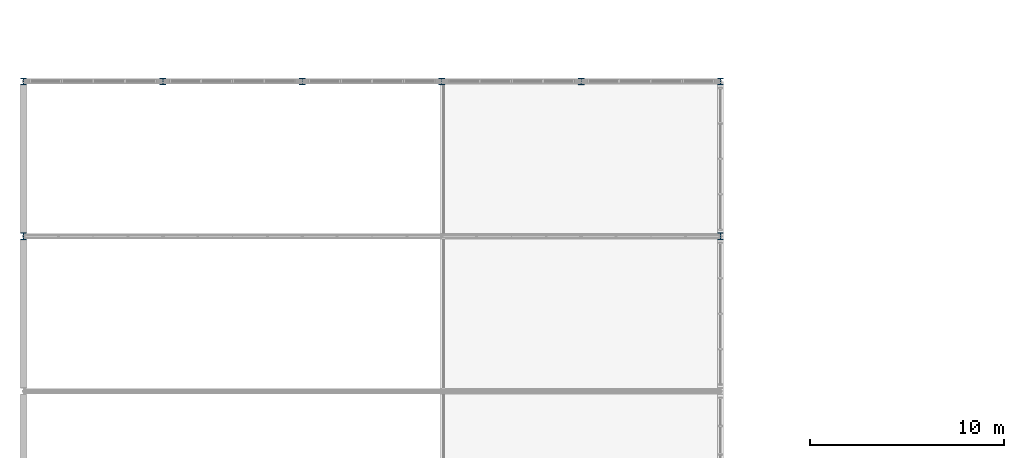
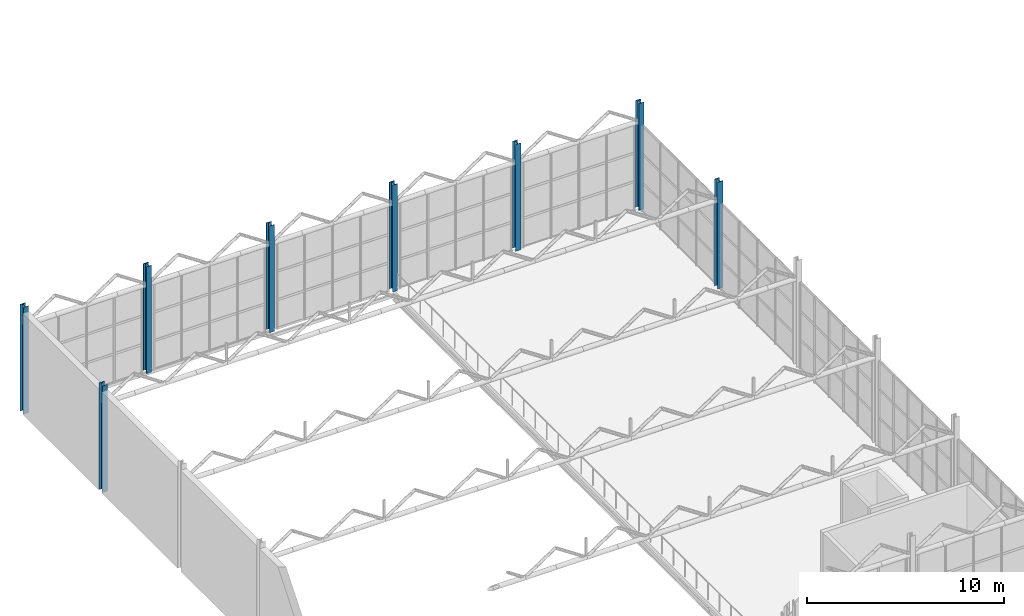
# One storey, part 10 of 153: 8 columns.
"""IFC4 building model written with IfcOpenShell, lengths in metres."""

from ifc_helpers import new_model, si_unit, derived_unit, direction, frame, origin, origin_2d, place, context, subcontext, project, spatial, i_section, extrude, material, material_profile, profile_set, type_object, element, save


model = new_model("IFC4")

# Units and contexts
model_context = context("Model", 3, precision=1e-05, world=origin(), true_north=direction((0.0, 1.0)))
body_context = subcontext(model_context, "Body", "Model", "MODEL_VIEW")
ifc_project = project(units=[si_unit("LENGTHUNIT", "METRE"), si_unit("AREAUNIT", "SQUARE_METRE"), si_unit("VOLUMEUNIT", "CUBIC_METRE"), si_unit("PLANEANGLEUNIT", "RADIAN"), si_unit("MASSUNIT", "GRAM", prefix="KILO"), derived_unit("THERMALTRANSMITTANCEUNIT", [(si_unit("POWERUNIT", "WATT"), 1), (si_unit("LENGTHUNIT", "METRE"), -2), (si_unit("THERMODYNAMICTEMPERATUREUNIT", "KELVIN"), -1)])], contexts=[model_context])

# Site, building, storey
site_placement = place(None, origin())
site = spatial("IfcSite", under=ifc_project, at=site_placement, CompositionType="ELEMENT")
building_placement = place(site_placement, origin())
building = spatial("IfcBuilding", under=site, at=building_placement, Name="Keldorne Ridge Multi-Sports Centre", CompositionType="ELEMENT")
storey_placement = place(building_placement, frame((0.0, 0.0, 9.60009765625)))
storey = spatial("IfcBuildingStorey", under=building, at=storey_placement, Name="L02", CompositionType="ELEMENT", Elevation=9.60009765625)

# Columns
ifc_material = material(Name="Steel S355", Category="steel")
ifc_material_profile = material_profile(ifc_material, i_section(OverallWidth=0.300048828125, OverallDepth=0.340087890625, WebThickness=0.011962890625, FlangeThickness=0.021484375, FilletRadius=0.027099609375, at=origin_2d()), Name="HEB 340")
ifc_profile_set = profile_set([ifc_material_profile], Name="Steel S355")
column_type = type_object("IfcColumnType", Name="COL-C-11", PredefinedType="COLUMN", material=ifc_profile_set)
for number, where, z_axis, x_axis, name in (
    (1, (6.0, 114.0, 0.0), (0.0, 0.0, 1.0), (1.0, 0.0, 0.0), "Structural column V3-PER-N-01 on L02"),
    (2, (13.199951171875, 114.0, 0.0), (0.0, 0.0, 1.0), (1.0, 0.0, 0.0), "Structural column V3-PER-N-02 on L02"),
    (3, (20.39990234375, 114.0, 0.0), (0.0, 0.0, 1.0), (1.0, 0.0, 0.0), "Structural column V3-PER-N-03 on L02"),
    (4, (27.60009765625, 114.0, 0.0), (0.0, 0.0, 1.0), (1.0, 0.0, 0.0), "Structural column V3-PER-N-04 on L02"),
    (5, (34.800048828125, 114.0, 0.0), (0.0, 0.0, 1.0), (1.0, 0.0, 0.0), "Structural column V3-PER-N-05 on L02"),
    (6, (42.0, 114.0, 0.0), (0.0, 0.0, 1.0), (1.0, 0.0, 0.0), "Structural column V3-PER-N-06 on L02"),
    (7, (6.0, 106.0, 0.0), (0.0, 0.0, 1.0), (1.0, 0.0, 0.0), "Structural column V3-SIDE-W-05 on L02"),
    (8, (42.0, 106.0, 0.0), (0.0, 0.0, 1.0), (1.0, 0.0, 0.0), "Structural column V3-SIDE-E-05 on L02"),
):
    element("IfcColumn", number, at=place(storey_placement, frame(where, z_axis=z_axis, x_axis=x_axis)), inside=storey, type_object=column_type, Name=name, PredefinedType="COLUMN", context=body_context, shape_type="SweptSolid", body=[
        extrude(i_section(OverallWidth=0.300048828125, OverallDepth=0.340087890625, WebThickness=0.011962890625, FlangeThickness=0.021484375, FilletRadius=0.027099609375, at=origin_2d()), origin(), (0.0, 0.0, 1.0), 6.599853515625),
    ])

save(model, "model.ifc")
